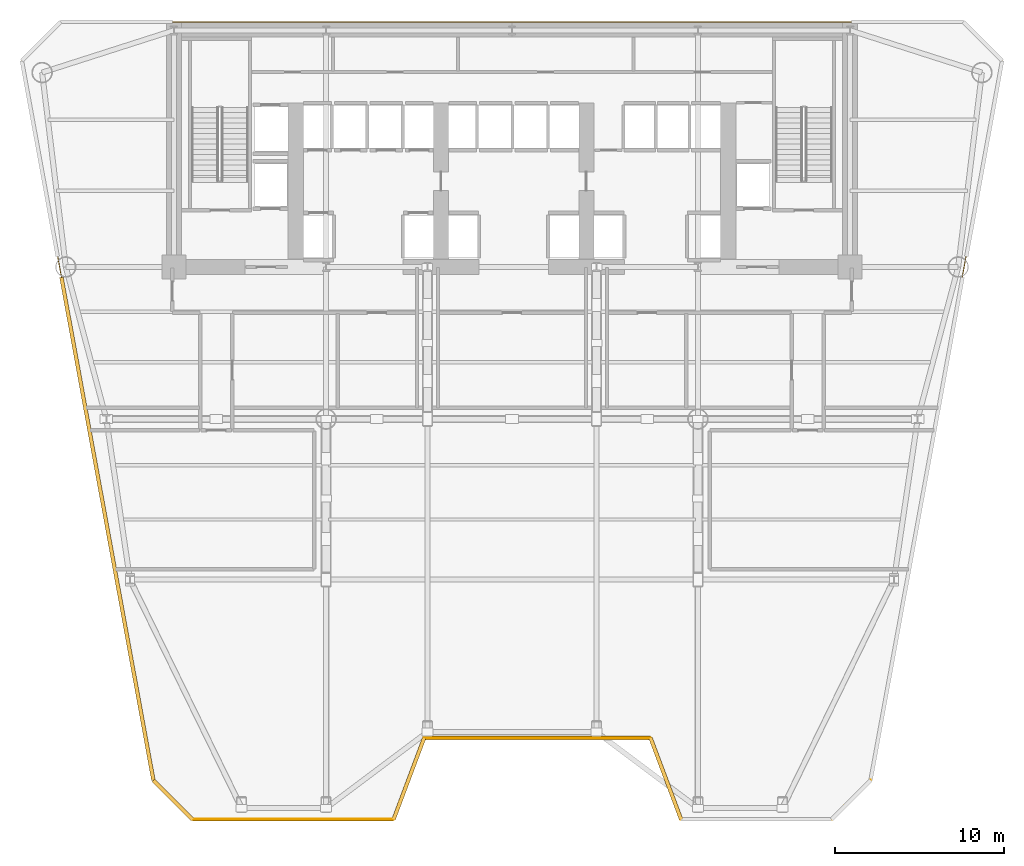
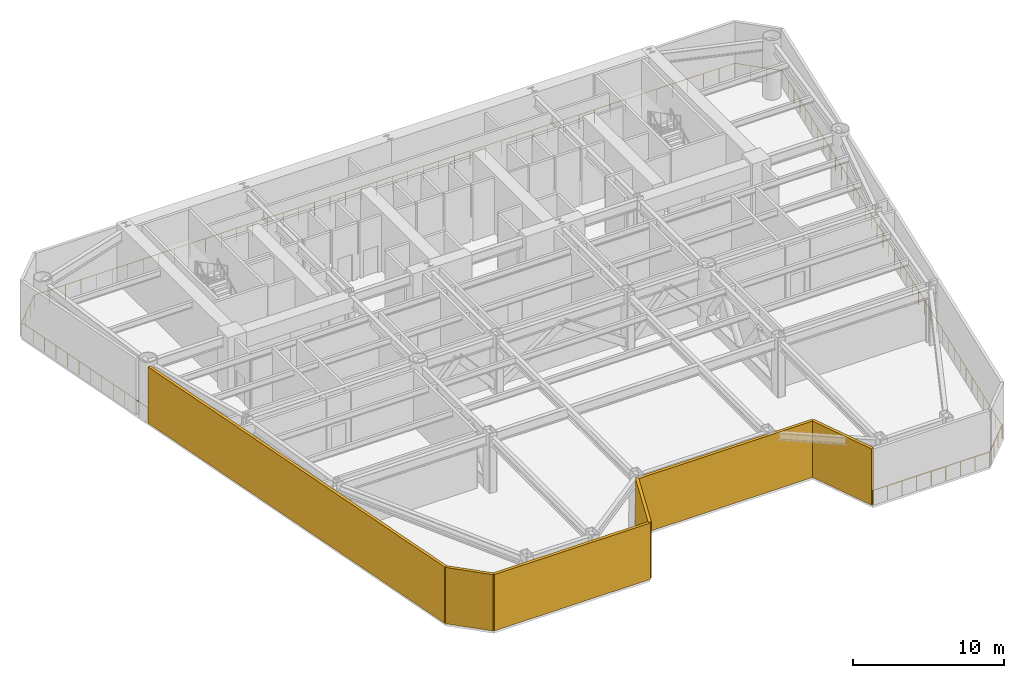
# One storey, part 7 of 10: 6 coverings, 2 railings.
"""IFC4 building model written with IfcOpenShell, lengths in metres."""

from ifc_helpers import new_model, si_unit, direction, frame, origin, origin_2d, place, context, subcontext, project, spatial, rectangle, circle, extrude, source, transform, mapped, material, layer, layer_set, type_object, element, save


model = new_model("IFC4")

# Units and contexts
model_context = context("Model", 3, precision=1e-05, world=origin(), true_north=direction((0.0, 1.0)))
body_context = subcontext(model_context, "Body", "Model", "MODEL_VIEW")
ifc_project = project(units=[si_unit("LENGTHUNIT", "METRE"), si_unit("AREAUNIT", "SQUARE_METRE"), si_unit("VOLUMEUNIT", "CUBIC_METRE"), si_unit("PLANEANGLEUNIT", "RADIAN"), si_unit("MASSUNIT", "GRAM", prefix="KILO")], contexts=[model_context])

# Site, building, storey
site_placement = place(None, origin())
site = spatial("IfcSite", under=ifc_project, at=site_placement, CompositionType="ELEMENT")
building_placement = place(site_placement, origin())
building = spatial("IfcBuilding", under=site, at=building_placement, Name="Vaeldorn Concourse Tower", CompositionType="ELEMENT")
storey_placement = place(building_placement, frame((0.0, 0.0, 83.39990234375)))
storey = spatial("IfcBuildingStorey", under=building, at=storey_placement, Name="L21", CompositionType="ELEMENT", Elevation=83.39990234375)

# Railings
ifc_material = material(Name="Anodised Bronze Aluminium", Category="aluminium")
railing_type = type_object("IfcRailingType", Name="RL-GUARD-1150", PredefinedType="GUARDRAIL", material=ifc_material)
railing_1_placement = place(storey_placement, frame((15.083740234375, 3.8251953125, 0.0)))
element("IfcRailing", 1, at=railing_1_placement, inside=storey, type_object=railing_type, Name="Refuge Band Perimeter Guardrail L21 South", PredefinedType="GUARDRAIL", context=body_context, shape_type="SweptSolid", body=[
    extrude(circle(Radius=0.02392578125, at=origin_2d()), frame((0.0, 0.0, 1.1259765625), z_axis=(1.0, 0.0, 0.0), x_axis=(0.0, 1.0, 0.0)), (0.0, 0.0, 1.0), 11.916259765625),
    extrude(circle(Radius=0.02392578125, at=origin_2d()), frame((11.916259765625, 0.0, 1.1259765625), z_axis=(0.351128660605, 0.936327220421, 0.0), x_axis=(-0.936327220421, 0.351128660605, 0.0)), (0.0, 0.0, 1.0), 5.12646484375),
    extrude(circle(Radius=0.02392578125, at=origin_2d()), frame((13.71630859375, 4.800048828125, 1.1259765625), z_axis=(1.0, 0.0, 0.0), x_axis=(0.0, 1.0, 0.0)), (0.0, 0.0, 1.0), 13.39990234375),
    extrude(circle(Radius=0.02392578125, at=origin_2d()), frame((27.1162109375, 4.800048828125, 1.1259765625), z_axis=(0.351128660605, -0.936327220421, 0.0), x_axis=(0.936327220421, 0.351128660605, 0.0)), (0.0, 0.0, 1.0), 5.12646484375),
    extrude(circle(Radius=0.02392578125, at=origin_2d()), frame((28.916259765625, 0.0, 1.1259765625), z_axis=(1.0, 0.0, 0.0), x_axis=(0.0, 1.0, 0.0)), (0.0, 0.0, 1.0), 8.916259765625),
    extrude(circle(Radius=0.02392578125, at=origin_2d()), frame((37.83251953125, 0.0, 1.1259765625), z_axis=(0.707106781187, 0.707106781187, 0.0), x_axis=(-0.707106781187, 0.707106781187, 0.0)), (0.0, 0.0, 1.0), 3.252685546875),
    extrude(circle(Radius=0.02099609375, at=origin_2d()), origin(), (0.0, 0.0, 1.0), 1.101806640625),
    extrude(circle(Radius=0.02099609375, at=origin_2d()), frame((1.191650390625, 0.0, 0.0)), (0.0, 0.0, 1.0), 1.101806640625),
    extrude(circle(Radius=0.02099609375, at=origin_2d()), frame((2.38330078125, 0.0, 0.0)), (0.0, 0.0, 1.0), 1.101806640625),
    extrude(circle(Radius=0.02099609375, at=origin_2d()), frame((3.574951171875, 0.0, 0.0)), (0.0, 0.0, 1.0), 1.101806640625),
    extrude(circle(Radius=0.02099609375, at=origin_2d()), frame((4.7666015625, 0.0, 0.0)), (0.0, 0.0, 1.0), 1.101806640625),
    extrude(circle(Radius=0.02099609375, at=origin_2d()), frame((5.9580078125, 0.0, 0.0)), (0.0, 0.0, 1.0), 1.101806640625),
    extrude(circle(Radius=0.02099609375, at=origin_2d()), frame((7.149658203125, 0.0, 0.0)), (0.0, 0.0, 1.0), 1.101806640625),
    extrude(circle(Radius=0.02099609375, at=origin_2d()), frame((8.34130859375, 0.0, 0.0)), (0.0, 0.0, 1.0), 1.101806640625),
    extrude(circle(Radius=0.02099609375, at=origin_2d()), frame((9.532958984375, 0.0, 0.0)), (0.0, 0.0, 1.0), 1.101806640625),
    extrude(circle(Radius=0.02099609375, at=origin_2d()), frame((10.724609375, 0.0, 0.0)), (0.0, 0.0, 1.0), 1.101806640625),
    extrude(circle(Radius=0.02099609375, at=origin_2d()), frame((11.916259765625, 0.0, 0.0)), (0.0, 0.0, 1.0), 1.101806640625),
    extrude(circle(Radius=0.02099609375, at=origin_2d()), frame((12.2763671875, 0.9599609375, 0.0)), (0.0, 0.0, 1.0), 1.101806640625),
    extrude(circle(Radius=0.02099609375, at=origin_2d()), frame((12.63623046875, 1.919921875, 0.0)), (0.0, 0.0, 1.0), 1.101806640625),
    extrude(circle(Radius=0.02099609375, at=origin_2d()), frame((12.996337890625, 2.880126953125, 0.0)), (0.0, 0.0, 1.0), 1.101806640625),
    extrude(circle(Radius=0.02099609375, at=origin_2d()), frame((13.356201171875, 3.840087890625, 0.0)), (0.0, 0.0, 1.0), 1.101806640625),
    extrude(circle(Radius=0.02099609375, at=origin_2d()), frame((13.71630859375, 4.800048828125, 0.0)), (0.0, 0.0, 1.0), 1.101806640625),
    extrude(circle(Radius=0.02099609375, at=origin_2d()), frame((14.8330078125, 4.800048828125, 0.0)), (0.0, 0.0, 1.0), 1.101806640625),
    extrude(circle(Radius=0.02099609375, at=origin_2d()), frame((15.94970703125, 4.800048828125, 0.0)), (0.0, 0.0, 1.0), 1.101806640625),
    extrude(circle(Radius=0.02099609375, at=origin_2d()), frame((17.06640625, 4.800048828125, 0.0)), (0.0, 0.0, 1.0), 1.101806640625),
    extrude(circle(Radius=0.02099609375, at=origin_2d()), frame((18.182861328125, 4.800048828125, 0.0)), (0.0, 0.0, 1.0), 1.101806640625),
    extrude(circle(Radius=0.02099609375, at=origin_2d()), frame((19.299560546875, 4.800048828125, 0.0)), (0.0, 0.0, 1.0), 1.101806640625),
    extrude(circle(Radius=0.02099609375, at=origin_2d()), frame((20.416259765625, 4.800048828125, 0.0)), (0.0, 0.0, 1.0), 1.101806640625),
    extrude(circle(Radius=0.02099609375, at=origin_2d()), frame((21.532958984375, 4.800048828125, 0.0)), (0.0, 0.0, 1.0), 1.101806640625),
    extrude(circle(Radius=0.02099609375, at=origin_2d()), frame((22.649658203125, 4.800048828125, 0.0)), (0.0, 0.0, 1.0), 1.101806640625),
    extrude(circle(Radius=0.02099609375, at=origin_2d()), frame((23.76611328125, 4.800048828125, 0.0)), (0.0, 0.0, 1.0), 1.101806640625),
    extrude(circle(Radius=0.02099609375, at=origin_2d()), frame((24.8828125, 4.800048828125, 0.0)), (0.0, 0.0, 1.0), 1.101806640625),
    extrude(circle(Radius=0.02099609375, at=origin_2d()), frame((25.99951171875, 4.800048828125, 0.0)), (0.0, 0.0, 1.0), 1.101806640625),
    extrude(circle(Radius=0.02099609375, at=origin_2d()), frame((27.1162109375, 4.800048828125, 0.0)), (0.0, 0.0, 1.0), 1.101806640625),
    extrude(circle(Radius=0.02099609375, at=origin_2d()), frame((27.476318359375, 3.840087890625, 0.0)), (0.0, 0.0, 1.0), 1.101806640625),
    extrude(circle(Radius=0.02099609375, at=origin_2d()), frame((27.836181640625, 2.880126953125, 0.0)), (0.0, 0.0, 1.0), 1.101806640625),
    extrude(circle(Radius=0.02099609375, at=origin_2d()), frame((28.1962890625, 1.919921875, 0.0)), (0.0, 0.0, 1.0), 1.101806640625),
    extrude(circle(Radius=0.02099609375, at=origin_2d()), frame((28.55615234375, 0.9599609375, 0.0)), (0.0, 0.0, 1.0), 1.101806640625),
    extrude(circle(Radius=0.02099609375, at=origin_2d()), frame((28.916259765625, 0.0, 0.0)), (0.0, 0.0, 1.0), 1.101806640625),
    extrude(circle(Radius=0.02099609375, at=origin_2d()), frame((30.03076171875, 0.0, 0.0)), (0.0, 0.0, 1.0), 1.101806640625),
    extrude(circle(Radius=0.02099609375, at=origin_2d()), frame((31.145263671875, 0.0, 0.0)), (0.0, 0.0, 1.0), 1.101806640625),
    extrude(circle(Radius=0.02099609375, at=origin_2d()), frame((32.259765625, 0.0, 0.0)), (0.0, 0.0, 1.0), 1.101806640625),
    extrude(circle(Radius=0.02099609375, at=origin_2d()), frame((33.37451171875, 0.0, 0.0)), (0.0, 0.0, 1.0), 1.101806640625),
    extrude(circle(Radius=0.02099609375, at=origin_2d()), frame((34.489013671875, 0.0, 0.0)), (0.0, 0.0, 1.0), 1.101806640625),
    extrude(circle(Radius=0.02099609375, at=origin_2d()), frame((35.603515625, 0.0, 0.0)), (0.0, 0.0, 1.0), 1.101806640625),
    extrude(circle(Radius=0.02099609375, at=origin_2d()), frame((36.718017578125, 0.0, 0.0)), (0.0, 0.0, 1.0), 1.101806640625),
    extrude(circle(Radius=0.02099609375, at=origin_2d()), frame((37.83251953125, 0.0, 0.0)), (0.0, 0.0, 1.0), 1.101806640625),
    extrude(circle(Radius=0.02099609375, at=origin_2d()), frame((38.59912109375, 0.7666015625, 0.0)), (0.0, 0.0, 1.0), 1.101806640625),
    extrude(circle(Radius=0.02099609375, at=origin_2d()), frame((39.365966796875, 1.533447265625, 0.0)), (0.0, 0.0, 1.0), 1.101806640625),
    extrude(circle(Radius=0.02099609375, at=origin_2d()), frame((40.132568359375, 2.300048828125, 0.0)), (0.0, 0.0, 1.0), 1.101806640625),
])
railing_2_placement = place(storey_placement, frame((55.15625, 6.125244140625, 0.0)))
element("IfcRailing", 2, at=railing_2_placement, inside=storey, type_object=railing_type, Name="Refuge Band Perimeter Guardrail L21 North", PredefinedType="GUARDRAIL", context=body_context, shape_type="SweptSolid", body=[
    extrude(circle(Radius=0.02392578125, at=origin_2d()), frame((0.0, 0.0, 1.1259765625), z_axis=(0.181185682426, 0.983448904867, 0.0), x_axis=(-0.983448904867, 0.181185682426, 0.0)), (0.0, 0.0, 1.0), 43.291259765625),
    extrude(circle(Radius=0.02392578125, at=origin_2d()), frame((7.84375, 42.57470703125, 1.1259765625), z_axis=(-0.707106781187, 0.707106781187, 0.0), x_axis=(-0.707106781187, -0.707106781187, 0.0)), (0.0, 0.0, 1.0), 3.252685546875),
    extrude(circle(Radius=0.02392578125, at=origin_2d()), frame((5.543701171875, 44.874755859375, 1.1259765625), z_axis=(-1.0, 0.0, 0.0), x_axis=(0.0, -1.0, 0.0)), (0.0, 0.0, 1.0), 53.39990234375),
    extrude(circle(Radius=0.02392578125, at=origin_2d()), frame((-47.856201171875, 44.874755859375, 1.1259765625), z_axis=(-0.707106781187, -0.707106781187, 0.0), x_axis=(0.707106781187, -0.707106781187, 0.0)), (0.0, 0.0, 1.0), 3.252685546875),
    extrude(circle(Radius=0.02392578125, at=origin_2d()), frame((-50.15625, 42.57470703125, 1.1259765625), z_axis=(0.179843405078, -0.983695252428, 0.0), x_axis=(0.983695252428, 0.179843405078, 0.0)), (0.0, 0.0, 1.0), 43.2802734375),
    extrude(circle(Radius=0.02392578125, at=origin_2d()), frame((-42.37255859375, 0.0, 1.1259765625), z_axis=(0.716160273915, -0.697935858131, 0.0), x_axis=(0.697935858131, 0.716160273915, 0.0)), (0.0, 0.0, 1.0), 3.29541015625),
    extrude(circle(Radius=0.02099609375, at=origin_2d()), origin(), (0.0, 0.0, 1.0), 1.101806640625),
    extrude(circle(Radius=0.02099609375, at=origin_2d()), frame((0.2119140625, 1.150634765625, 0.0)), (0.0, 0.0, 1.0), 1.101806640625),
    extrude(circle(Radius=0.02099609375, at=origin_2d()), frame((0.424072265625, 2.30126953125, 0.0)), (0.0, 0.0, 1.0), 1.101806640625),
    extrude(circle(Radius=0.02099609375, at=origin_2d()), frame((0.635986328125, 3.451904296875, 0.0)), (0.0, 0.0, 1.0), 1.101806640625),
    extrude(circle(Radius=0.02099609375, at=origin_2d()), frame((0.847900390625, 4.602783203125, 0.0)), (0.0, 0.0, 1.0), 1.101806640625),
    extrude(circle(Radius=0.02099609375, at=origin_2d()), frame((1.06005859375, 5.75341796875, 0.0)), (0.0, 0.0, 1.0), 1.101806640625),
    extrude(circle(Radius=0.02099609375, at=origin_2d()), frame((1.27197265625, 6.904052734375, 0.0)), (0.0, 0.0, 1.0), 1.101806640625),
    extrude(circle(Radius=0.02099609375, at=origin_2d()), frame((1.48388671875, 8.0546875, 0.0)), (0.0, 0.0, 1.0), 1.101806640625),
    extrude(circle(Radius=0.02099609375, at=origin_2d()), frame((1.696044921875, 9.205322265625, 0.0)), (0.0, 0.0, 1.0), 1.101806640625),
    extrude(circle(Radius=0.02099609375, at=origin_2d()), frame((1.907958984375, 10.35595703125, 0.0)), (0.0, 0.0, 1.0), 1.101806640625),
    extrude(circle(Radius=0.02099609375, at=origin_2d()), frame((2.119873046875, 11.506591796875, 0.0)), (0.0, 0.0, 1.0), 1.101806640625),
    extrude(circle(Radius=0.02099609375, at=origin_2d()), frame((2.33203125, 12.6572265625, 0.0)), (0.0, 0.0, 1.0), 1.101806640625),
    extrude(circle(Radius=0.02099609375, at=origin_2d()), frame((2.5439453125, 13.80810546875, 0.0)), (0.0, 0.0, 1.0), 1.101806640625),
    extrude(circle(Radius=0.02099609375, at=origin_2d()), frame((2.755859375, 14.958740234375, 0.0)), (0.0, 0.0, 1.0), 1.101806640625),
    extrude(circle(Radius=0.02099609375, at=origin_2d()), frame((2.968017578125, 16.109375, 0.0)), (0.0, 0.0, 1.0), 1.101806640625),
    extrude(circle(Radius=0.02099609375, at=origin_2d()), frame((3.179931640625, 17.260009765625, 0.0)), (0.0, 0.0, 1.0), 1.101806640625),
    extrude(circle(Radius=0.02099609375, at=origin_2d()), frame((3.391845703125, 18.41064453125, 0.0)), (0.0, 0.0, 1.0), 1.101806640625),
    extrude(circle(Radius=0.02099609375, at=origin_2d()), frame((3.60400390625, 19.561279296875, 0.0)), (0.0, 0.0, 1.0), 1.101806640625),
    extrude(circle(Radius=0.02099609375, at=origin_2d()), frame((3.81591796875, 20.7119140625, 0.0)), (0.0, 0.0, 1.0), 1.101806640625),
    extrude(circle(Radius=0.02099609375, at=origin_2d()), frame((4.02783203125, 21.86279296875, 0.0)), (0.0, 0.0, 1.0), 1.101806640625),
    extrude(circle(Radius=0.02099609375, at=origin_2d()), frame((4.23974609375, 23.013427734375, 0.0)), (0.0, 0.0, 1.0), 1.101806640625),
    extrude(circle(Radius=0.02099609375, at=origin_2d()), frame((4.451904296875, 24.1640625, 0.0)), (0.0, 0.0, 1.0), 1.101806640625),
    extrude(circle(Radius=0.02099609375, at=origin_2d()), frame((4.663818359375, 25.314697265625, 0.0)), (0.0, 0.0, 1.0), 1.101806640625),
    extrude(circle(Radius=0.02099609375, at=origin_2d()), frame((4.875732421875, 26.46533203125, 0.0)), (0.0, 0.0, 1.0), 1.101806640625),
    extrude(circle(Radius=0.02099609375, at=origin_2d()), frame((5.087890625, 27.615966796875, 0.0)), (0.0, 0.0, 1.0), 1.101806640625),
    extrude(circle(Radius=0.02099609375, at=origin_2d()), frame((5.2998046875, 28.7666015625, 0.0)), (0.0, 0.0, 1.0), 1.101806640625),
    extrude(circle(Radius=0.02099609375, at=origin_2d()), frame((5.51171875, 29.91748046875, 0.0)), (0.0, 0.0, 1.0), 1.101806640625),
    extrude(circle(Radius=0.02099609375, at=origin_2d()), frame((5.723876953125, 31.068115234375, 0.0)), (0.0, 0.0, 1.0), 1.101806640625),
    extrude(circle(Radius=0.02099609375, at=origin_2d()), frame((5.935791015625, 32.21875, 0.0)), (0.0, 0.0, 1.0), 1.101806640625),
    extrude(circle(Radius=0.02099609375, at=origin_2d()), frame((6.147705078125, 33.369384765625, 0.0)), (0.0, 0.0, 1.0), 1.101806640625),
    extrude(circle(Radius=0.02099609375, at=origin_2d()), frame((6.35986328125, 34.52001953125, 0.0)), (0.0, 0.0, 1.0), 1.101806640625),
    extrude(circle(Radius=0.02099609375, at=origin_2d()), frame((6.57177734375, 35.670654296875, 0.0)), (0.0, 0.0, 1.0), 1.101806640625),
    extrude(circle(Radius=0.02099609375, at=origin_2d()), frame((6.78369140625, 36.8212890625, 0.0)), (0.0, 0.0, 1.0), 1.101806640625),
    extrude(circle(Radius=0.02099609375, at=origin_2d()), frame((6.995849609375, 37.971923828125, 0.0)), (0.0, 0.0, 1.0), 1.101806640625),
    extrude(circle(Radius=0.02099609375, at=origin_2d()), frame((7.207763671875, 39.122802734375, 0.0)), (0.0, 0.0, 1.0), 1.101806640625),
    extrude(circle(Radius=0.02099609375, at=origin_2d()), frame((7.419677734375, 40.2734375, 0.0)), (0.0, 0.0, 1.0), 1.101806640625),
    extrude(circle(Radius=0.02099609375, at=origin_2d()), frame((7.6318359375, 41.424072265625, 0.0)), (0.0, 0.0, 1.0), 1.101806640625),
    extrude(circle(Radius=0.02099609375, at=origin_2d()), frame((7.84375, 42.57470703125, 0.0)), (0.0, 0.0, 1.0), 1.101806640625),
    extrude(circle(Radius=0.02099609375, at=origin_2d()), frame((7.0771484375, 43.34130859375, 0.0)), (0.0, 0.0, 1.0), 1.101806640625),
    extrude(circle(Radius=0.02099609375, at=origin_2d()), frame((6.310302734375, 44.108154296875, 0.0)), (0.0, 0.0, 1.0), 1.101806640625),
    extrude(circle(Radius=0.02099609375, at=origin_2d()), frame((5.543701171875, 44.874755859375, 0.0)), (0.0, 0.0, 1.0), 1.101806640625),
    extrude(circle(Radius=0.02099609375, at=origin_2d()), frame((4.35693359375, 44.874755859375, 0.0)), (0.0, 0.0, 1.0), 1.101806640625),
    extrude(circle(Radius=0.02099609375, at=origin_2d()), frame((3.17041015625, 44.874755859375, 0.0)), (0.0, 0.0, 1.0), 1.101806640625),
    extrude(circle(Radius=0.02099609375, at=origin_2d()), frame((1.983642578125, 44.874755859375, 0.0)), (0.0, 0.0, 1.0), 1.101806640625),
    extrude(circle(Radius=0.02099609375, at=origin_2d()), frame((0.797119140625, 44.874755859375, 0.0)), (0.0, 0.0, 1.0), 1.101806640625),
    extrude(circle(Radius=0.02099609375, at=origin_2d()), frame((-0.3896484375, 44.874755859375, 0.0)), (0.0, 0.0, 1.0), 1.101806640625),
    extrude(circle(Radius=0.02099609375, at=origin_2d()), frame((-1.576171875, 44.874755859375, 0.0)), (0.0, 0.0, 1.0), 1.101806640625),
    extrude(circle(Radius=0.02099609375, at=origin_2d()), frame((-2.762939453125, 44.874755859375, 0.0)), (0.0, 0.0, 1.0), 1.101806640625),
    extrude(circle(Radius=0.02099609375, at=origin_2d()), frame((-3.94970703125, 44.874755859375, 0.0)), (0.0, 0.0, 1.0), 1.101806640625),
    extrude(circle(Radius=0.02099609375, at=origin_2d()), frame((-5.13623046875, 44.874755859375, 0.0)), (0.0, 0.0, 1.0), 1.101806640625),
    extrude(circle(Radius=0.02099609375, at=origin_2d()), frame((-6.322998046875, 44.874755859375, 0.0)), (0.0, 0.0, 1.0), 1.101806640625),
    extrude(circle(Radius=0.02099609375, at=origin_2d()), frame((-7.509521484375, 44.874755859375, 0.0)), (0.0, 0.0, 1.0), 1.101806640625),
    extrude(circle(Radius=0.02099609375, at=origin_2d()), frame((-8.6962890625, 44.874755859375, 0.0)), (0.0, 0.0, 1.0), 1.101806640625),
    extrude(circle(Radius=0.02099609375, at=origin_2d()), frame((-9.883056640625, 44.874755859375, 0.0)), (0.0, 0.0, 1.0), 1.101806640625),
    extrude(circle(Radius=0.02099609375, at=origin_2d()), frame((-11.069580078125, 44.874755859375, 0.0)), (0.0, 0.0, 1.0), 1.101806640625),
    extrude(circle(Radius=0.02099609375, at=origin_2d()), frame((-12.25634765625, 44.874755859375, 0.0)), (0.0, 0.0, 1.0), 1.101806640625),
    extrude(circle(Radius=0.02099609375, at=origin_2d()), frame((-13.44287109375, 44.874755859375, 0.0)), (0.0, 0.0, 1.0), 1.101806640625),
    extrude(circle(Radius=0.02099609375, at=origin_2d()), frame((-14.629638671875, 44.874755859375, 0.0)), (0.0, 0.0, 1.0), 1.101806640625),
    extrude(circle(Radius=0.02099609375, at=origin_2d()), frame((-15.816162109375, 44.874755859375, 0.0)), (0.0, 0.0, 1.0), 1.101806640625),
    extrude(circle(Radius=0.02099609375, at=origin_2d()), frame((-17.0029296875, 44.874755859375, 0.0)), (0.0, 0.0, 1.0), 1.101806640625),
    extrude(circle(Radius=0.02099609375, at=origin_2d()), frame((-18.189697265625, 44.874755859375, 0.0)), (0.0, 0.0, 1.0), 1.101806640625),
    extrude(circle(Radius=0.02099609375, at=origin_2d()), frame((-19.376220703125, 44.874755859375, 0.0)), (0.0, 0.0, 1.0), 1.101806640625),
    extrude(circle(Radius=0.02099609375, at=origin_2d()), frame((-20.56298828125, 44.874755859375, 0.0)), (0.0, 0.0, 1.0), 1.101806640625),
    extrude(circle(Radius=0.02099609375, at=origin_2d()), frame((-21.74951171875, 44.874755859375, 0.0)), (0.0, 0.0, 1.0), 1.101806640625),
    extrude(circle(Radius=0.02099609375, at=origin_2d()), frame((-22.936279296875, 44.874755859375, 0.0)), (0.0, 0.0, 1.0), 1.101806640625),
    extrude(circle(Radius=0.02099609375, at=origin_2d()), frame((-24.122802734375, 44.874755859375, 0.0)), (0.0, 0.0, 1.0), 1.101806640625),
    extrude(circle(Radius=0.02099609375, at=origin_2d()), frame((-25.3095703125, 44.874755859375, 0.0)), (0.0, 0.0, 1.0), 1.101806640625),
    extrude(circle(Radius=0.02099609375, at=origin_2d()), frame((-26.496337890625, 44.874755859375, 0.0)), (0.0, 0.0, 1.0), 1.101806640625),
    extrude(circle(Radius=0.02099609375, at=origin_2d()), frame((-27.682861328125, 44.874755859375, 0.0)), (0.0, 0.0, 1.0), 1.101806640625),
    extrude(circle(Radius=0.02099609375, at=origin_2d()), frame((-28.86962890625, 44.874755859375, 0.0)), (0.0, 0.0, 1.0), 1.101806640625),
    extrude(circle(Radius=0.02099609375, at=origin_2d()), frame((-30.05615234375, 44.874755859375, 0.0)), (0.0, 0.0, 1.0), 1.101806640625),
    extrude(circle(Radius=0.02099609375, at=origin_2d()), frame((-31.242919921875, 44.874755859375, 0.0)), (0.0, 0.0, 1.0), 1.101806640625),
    extrude(circle(Radius=0.02099609375, at=origin_2d()), frame((-32.429443359375, 44.874755859375, 0.0)), (0.0, 0.0, 1.0), 1.101806640625),
    extrude(circle(Radius=0.02099609375, at=origin_2d()), frame((-33.6162109375, 44.874755859375, 0.0)), (0.0, 0.0, 1.0), 1.101806640625),
    extrude(circle(Radius=0.02099609375, at=origin_2d()), frame((-34.802978515625, 44.874755859375, 0.0)), (0.0, 0.0, 1.0), 1.101806640625),
    extrude(circle(Radius=0.02099609375, at=origin_2d()), frame((-35.989501953125, 44.874755859375, 0.0)), (0.0, 0.0, 1.0), 1.101806640625),
    extrude(circle(Radius=0.02099609375, at=origin_2d()), frame((-37.17626953125, 44.874755859375, 0.0)), (0.0, 0.0, 1.0), 1.101806640625),
    extrude(circle(Radius=0.02099609375, at=origin_2d()), frame((-38.36279296875, 44.874755859375, 0.0)), (0.0, 0.0, 1.0), 1.101806640625),
    extrude(circle(Radius=0.02099609375, at=origin_2d()), frame((-39.549560546875, 44.874755859375, 0.0)), (0.0, 0.0, 1.0), 1.101806640625),
    extrude(circle(Radius=0.02099609375, at=origin_2d()), frame((-40.736328125, 44.874755859375, 0.0)), (0.0, 0.0, 1.0), 1.101806640625),
    extrude(circle(Radius=0.02099609375, at=origin_2d()), frame((-41.9228515625, 44.874755859375, 0.0)), (0.0, 0.0, 1.0), 1.101806640625),
    extrude(circle(Radius=0.02099609375, at=origin_2d()), frame((-43.109619140625, 44.874755859375, 0.0)), (0.0, 0.0, 1.0), 1.101806640625),
    extrude(circle(Radius=0.02099609375, at=origin_2d()), frame((-44.296142578125, 44.874755859375, 0.0)), (0.0, 0.0, 1.0), 1.101806640625),
    extrude(circle(Radius=0.02099609375, at=origin_2d()), frame((-45.48291015625, 44.874755859375, 0.0)), (0.0, 0.0, 1.0), 1.101806640625),
    extrude(circle(Radius=0.02099609375, at=origin_2d()), frame((-46.66943359375, 44.874755859375, 0.0)), (0.0, 0.0, 1.0), 1.101806640625),
    extrude(circle(Radius=0.02099609375, at=origin_2d()), frame((-47.856201171875, 44.874755859375, 0.0)), (0.0, 0.0, 1.0), 1.101806640625),
    extrude(circle(Radius=0.02099609375, at=origin_2d()), frame((-48.622802734375, 44.108154296875, 0.0)), (0.0, 0.0, 1.0), 1.101806640625),
    extrude(circle(Radius=0.02099609375, at=origin_2d()), frame((-49.3896484375, 43.34130859375, 0.0)), (0.0, 0.0, 1.0), 1.101806640625),
    extrude(circle(Radius=0.02099609375, at=origin_2d()), frame((-50.15625, 42.57470703125, 0.0)), (0.0, 0.0, 1.0), 1.101806640625),
    extrude(circle(Radius=0.02099609375, at=origin_2d()), frame((-49.94580078125, 41.424072265625, 0.0)), (0.0, 0.0, 1.0), 1.101806640625),
    extrude(circle(Radius=0.02099609375, at=origin_2d()), frame((-49.735595703125, 40.2734375, 0.0)), (0.0, 0.0, 1.0), 1.101806640625),
    extrude(circle(Radius=0.02099609375, at=origin_2d()), frame((-49.525146484375, 39.122802734375, 0.0)), (0.0, 0.0, 1.0), 1.101806640625),
    extrude(circle(Radius=0.02099609375, at=origin_2d()), frame((-49.314697265625, 37.971923828125, 0.0)), (0.0, 0.0, 1.0), 1.101806640625),
    extrude(circle(Radius=0.02099609375, at=origin_2d()), frame((-49.1044921875, 36.8212890625, 0.0)), (0.0, 0.0, 1.0), 1.101806640625),
    extrude(circle(Radius=0.02099609375, at=origin_2d()), frame((-48.89404296875, 35.670654296875, 0.0)), (0.0, 0.0, 1.0), 1.101806640625),
    extrude(circle(Radius=0.02099609375, at=origin_2d()), frame((-48.68359375, 34.52001953125, 0.0)), (0.0, 0.0, 1.0), 1.101806640625),
    extrude(circle(Radius=0.02099609375, at=origin_2d()), frame((-48.473388671875, 33.369384765625, 0.0)), (0.0, 0.0, 1.0), 1.101806640625),
    extrude(circle(Radius=0.02099609375, at=origin_2d()), frame((-48.262939453125, 32.21875, 0.0)), (0.0, 0.0, 1.0), 1.101806640625),
    extrude(circle(Radius=0.02099609375, at=origin_2d()), frame((-48.052490234375, 31.068115234375, 0.0)), (0.0, 0.0, 1.0), 1.101806640625),
    extrude(circle(Radius=0.02099609375, at=origin_2d()), frame((-47.84228515625, 29.91748046875, 0.0)), (0.0, 0.0, 1.0), 1.101806640625),
    extrude(circle(Radius=0.02099609375, at=origin_2d()), frame((-47.6318359375, 28.7666015625, 0.0)), (0.0, 0.0, 1.0), 1.101806640625),
    extrude(circle(Radius=0.02099609375, at=origin_2d()), frame((-47.42138671875, 27.615966796875, 0.0)), (0.0, 0.0, 1.0), 1.101806640625),
    extrude(circle(Radius=0.02099609375, at=origin_2d()), frame((-47.211181640625, 26.46533203125, 0.0)), (0.0, 0.0, 1.0), 1.101806640625),
    extrude(circle(Radius=0.02099609375, at=origin_2d()), frame((-47.000732421875, 25.314697265625, 0.0)), (0.0, 0.0, 1.0), 1.101806640625),
    extrude(circle(Radius=0.02099609375, at=origin_2d()), frame((-46.790283203125, 24.1640625, 0.0)), (0.0, 0.0, 1.0), 1.101806640625),
    extrude(circle(Radius=0.02099609375, at=origin_2d()), frame((-46.580078125, 23.013427734375, 0.0)), (0.0, 0.0, 1.0), 1.101806640625),
    extrude(circle(Radius=0.02099609375, at=origin_2d()), frame((-46.36962890625, 21.86279296875, 0.0)), (0.0, 0.0, 1.0), 1.101806640625),
    extrude(circle(Radius=0.02099609375, at=origin_2d()), frame((-46.1591796875, 20.7119140625, 0.0)), (0.0, 0.0, 1.0), 1.101806640625),
    extrude(circle(Radius=0.02099609375, at=origin_2d()), frame((-45.94873046875, 19.561279296875, 0.0)), (0.0, 0.0, 1.0), 1.101806640625),
    extrude(circle(Radius=0.02099609375, at=origin_2d()), frame((-45.738525390625, 18.41064453125, 0.0)), (0.0, 0.0, 1.0), 1.101806640625),
    extrude(circle(Radius=0.02099609375, at=origin_2d()), frame((-45.528076171875, 17.260009765625, 0.0)), (0.0, 0.0, 1.0), 1.101806640625),
    extrude(circle(Radius=0.02099609375, at=origin_2d()), frame((-45.317626953125, 16.109375, 0.0)), (0.0, 0.0, 1.0), 1.101806640625),
    extrude(circle(Radius=0.02099609375, at=origin_2d()), frame((-45.107421875, 14.958740234375, 0.0)), (0.0, 0.0, 1.0), 1.101806640625),
    extrude(circle(Radius=0.02099609375, at=origin_2d()), frame((-44.89697265625, 13.80810546875, 0.0)), (0.0, 0.0, 1.0), 1.101806640625),
    extrude(circle(Radius=0.02099609375, at=origin_2d()), frame((-44.6865234375, 12.6572265625, 0.0)), (0.0, 0.0, 1.0), 1.101806640625),
    extrude(circle(Radius=0.02099609375, at=origin_2d()), frame((-44.476318359375, 11.506591796875, 0.0)), (0.0, 0.0, 1.0), 1.101806640625),
    extrude(circle(Radius=0.02099609375, at=origin_2d()), frame((-44.265869140625, 10.35595703125, 0.0)), (0.0, 0.0, 1.0), 1.101806640625),
    extrude(circle(Radius=0.02099609375, at=origin_2d()), frame((-44.055419921875, 9.205322265625, 0.0)), (0.0, 0.0, 1.0), 1.101806640625),
    extrude(circle(Radius=0.02099609375, at=origin_2d()), frame((-43.84521484375, 8.0546875, 0.0)), (0.0, 0.0, 1.0), 1.101806640625),
    extrude(circle(Radius=0.02099609375, at=origin_2d()), frame((-43.634765625, 6.904052734375, 0.0)), (0.0, 0.0, 1.0), 1.101806640625),
    extrude(circle(Radius=0.02099609375, at=origin_2d()), frame((-43.42431640625, 5.75341796875, 0.0)), (0.0, 0.0, 1.0), 1.101806640625),
    extrude(circle(Radius=0.02099609375, at=origin_2d()), frame((-43.214111328125, 4.602783203125, 0.0)), (0.0, 0.0, 1.0), 1.101806640625),
    extrude(circle(Radius=0.02099609375, at=origin_2d()), frame((-43.003662109375, 3.451904296875, 0.0)), (0.0, 0.0, 1.0), 1.101806640625),
    extrude(circle(Radius=0.02099609375, at=origin_2d()), frame((-42.793212890625, 2.30126953125, 0.0)), (0.0, 0.0, 1.0), 1.101806640625),
    extrude(circle(Radius=0.02099609375, at=origin_2d()), frame((-42.5830078125, 1.150634765625, 0.0)), (0.0, 0.0, 1.0), 1.101806640625),
    extrude(circle(Radius=0.02099609375, at=origin_2d()), frame((-42.37255859375, 0.0, 0.0)), (0.0, 0.0, 1.0), 1.101806640625),
    extrude(circle(Radius=0.02099609375, at=origin_2d()), frame((-41.5859375, -0.7666015625, 0.0)), (0.0, 0.0, 1.0), 1.101806640625),
    extrude(circle(Radius=0.02099609375, at=origin_2d()), frame((-40.799072265625, -1.533447265625, 0.0)), (0.0, 0.0, 1.0), 1.101806640625),
    extrude(circle(Radius=0.02099609375, at=origin_2d()), frame((-40.012451171875, -2.300048828125, 0.0)), (0.0, 0.0, 1.0), 1.101806640625),
])

# Coverings
ifc_layer = layer(ifc_material, 1.60009765625)
ifc_layer_set = layer_set([ifc_layer], Name="Anodised Bronze Aluminium")
covering_type = type_object("IfcCoveringType", Name="SD-BRONZE-LOUVRE", PredefinedType="USERDEFINED", material=ifc_layer_set)
shared_shape_1 = source(origin(), body_context, "Body", "SweptSolid", [
    extrude(rectangle(XDim=11.916259765625, YDim=0.219970703125, at=origin_2d()), origin(), (0.0, 0.0, 1.0), 4.5400390625),
])
covering_1_placement = place(storey_placement, frame((21.0419921875, 3.8251953125, 0.0), z_axis=(0.0, 0.0, 1.0), x_axis=(1.0, 0.0, 0.0)))
element("IfcCovering", 3, at=covering_1_placement, inside=storey, type_object=covering_type, Name="Refuge Band Bronze Acoustic Louvre L21-01.1", ObjectType="LOUVRE", PredefinedType="USERDEFINED", context=body_context, shape_type="MappedRepresentation", body=[
    mapped(shared_shape_1, transform((0.0, 0.0, 0.0), scale=1.0)),
])
shared_shape_2 = source(origin(), body_context, "Body", "SweptSolid", [
    extrude(rectangle(XDim=5.12646484375, YDim=0.219970703125, at=origin_2d()), origin(), (0.0, 0.0, 1.0), 4.5400390625),
])
for number, where, z_axis, x_axis, name in (
    (4, (27.89990234375, 6.22509765625, 0.0), (0.0, 0.0, 1.0), (0.351122702609, 0.936329454686, 0.0), "Refuge Band Bronze Acoustic Louvre L21-02.1"),
    (5, (43.10009765625, 6.22509765625, 0.0), (0.0, 0.0, 1.0), (0.351122702609, -0.936329454686, 0.0), "Refuge Band Bronze Acoustic Louvre L21-04.1"),
):
    element("IfcCovering", number, at=place(storey_placement, frame(where, z_axis=z_axis, x_axis=x_axis)), inside=storey, type_object=covering_type, Name=name, ObjectType="LOUVRE", PredefinedType="USERDEFINED", context=body_context, shape_type="MappedRepresentation", body=[
        mapped(shared_shape_2, transform((0.0, 0.0, 0.0), scale=1.0)),
    ])
shared_shape_3 = source(origin(), body_context, "Body", "SweptSolid", [
    extrude(rectangle(XDim=13.39990234375, YDim=0.219970703125, at=origin_2d()), origin(), (0.0, 0.0, 1.0), 4.5400390625),
])
covering_2_placement = place(storey_placement, frame((35.5, 8.625244140625, 0.0), z_axis=(0.0, 0.0, 1.0), x_axis=(1.0, 0.0, 0.0)))
element("IfcCovering", 6, at=covering_2_placement, inside=storey, type_object=covering_type, Name="Refuge Band Bronze Acoustic Louvre L21-03.1", ObjectType="LOUVRE", PredefinedType="USERDEFINED", context=body_context, shape_type="MappedRepresentation", body=[
    mapped(shared_shape_3, transform((0.0, 0.0, 0.0), scale=1.0)),
])
shared_shape_4 = source(origin(), body_context, "Body", "SweptSolid", [
    extrude(rectangle(XDim=3.252685546875, YDim=0.219970703125, at=origin_2d()), origin(), (0.0, 0.0, 1.0), 4.5400390625),
])
covering_3_placement = place(storey_placement, frame((13.933837890625, 4.97509765625, 0.0), z_axis=(0.0, 0.0, 1.0), x_axis=(0.707106781187, -0.707106781187, 0.0)))
element("IfcCovering", 7, at=covering_3_placement, inside=storey, type_object=covering_type, Name="Refuge Band Bronze Acoustic Louvre L21-12.1", ObjectType="LOUVRE", PredefinedType="USERDEFINED", context=body_context, shape_type="MappedRepresentation", body=[
    mapped(shared_shape_4, transform((0.0, 0.0, 0.0), scale=1.0)),
])
shared_shape_5 = source(origin(), body_context, "Body", "SweptSolid", [
    extrude(rectangle(XDim=30.24853515625, YDim=0.219970703125, at=origin_2d()), origin(), (0.0, 0.0, 1.0), 4.5400390625),
])
covering_4_placement = place(storey_placement, frame((10.063720703125, 21.0029296875, 0.0), z_axis=(0.0, 0.0, 1.0), x_axis=(0.17984960762, -0.983694118433, 0.0)))
element("IfcCovering", 8, at=covering_4_placement, inside=storey, type_object=covering_type, Name="Refuge Band Bronze Acoustic Louvre L21-11.2", ObjectType="LOUVRE", PredefinedType="USERDEFINED", context=body_context, shape_type="MappedRepresentation", body=[
    mapped(shared_shape_5, transform((0.0, 0.0, 0.0), scale=1.0)),
])

save(model, "model.ifc")
